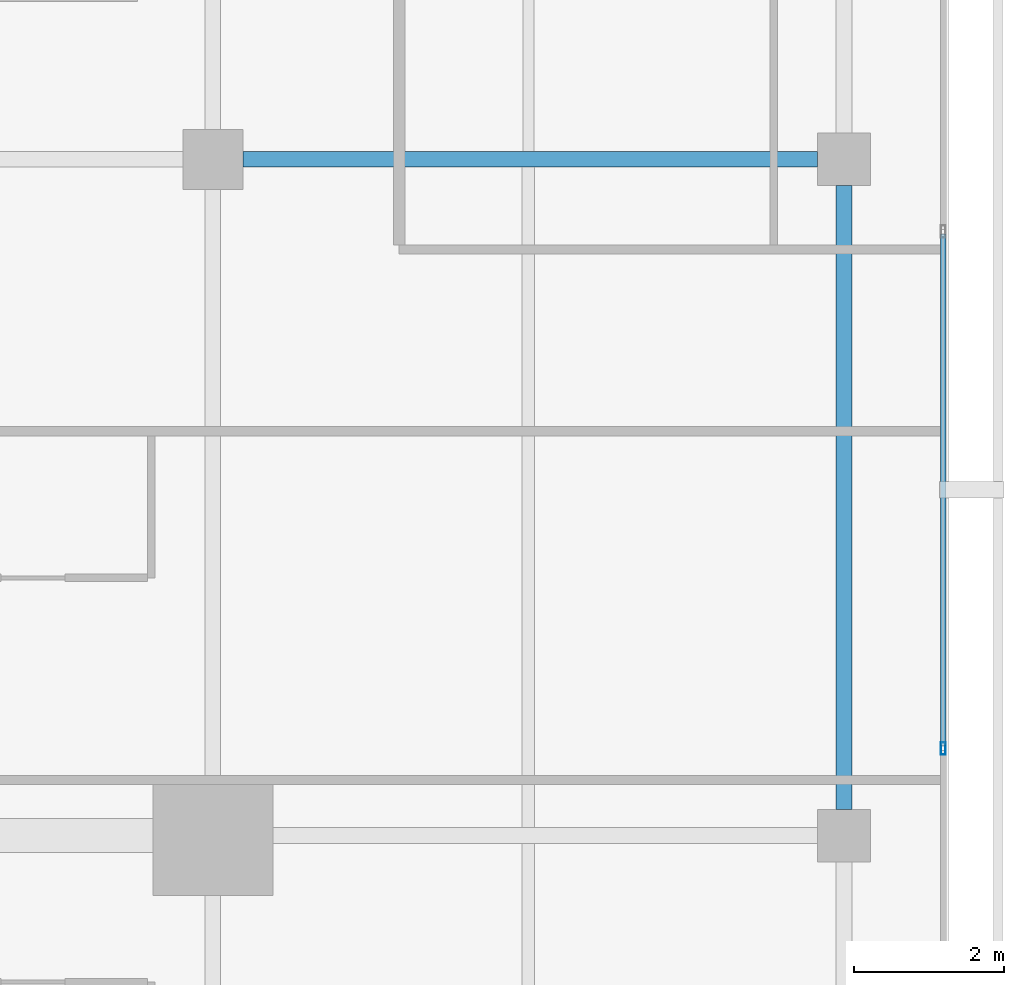
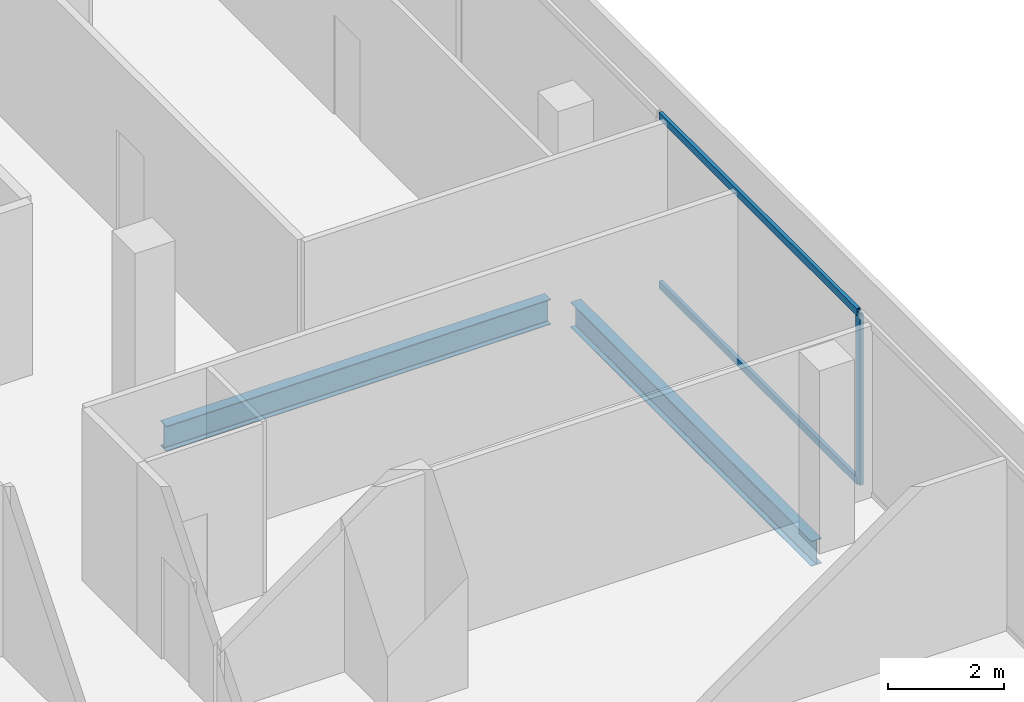
# One storey, part 14 of 25: 3 members, 2 beams, 1 element without a shape of its own.
"""IFC4 building model written with IfcOpenShell, lengths in metres."""

import ifcopenshell
import ifcopenshell.guid

model = None  # the IFC model being written
_history = None  # IfcOwnerHistory: only IFC2X3 demands one
_inside = {}  # id of a spatial element -> (the spatial element, [elements in it])
_under = {}  # id of a project, library or spatial element -> (it, [spatial elements below it])
_declared = {}  # id of a project -> (the project, [libraries it declares])
_typed = {}  # id of a type object -> (the type object, [elements of that type])
_made_of = {}  # id of a material, layer set ... -> (it, [elements and type objects made of it])


def new_model(schema):
    """Start an empty IFC model of exactly this schema.

    Asked for "IFC4X3", IfcOpenShell would pick the latest addendum, in which some entities
    have other attributes; the version numbers below select the first issue.
    IFC2X3 requires an IfcOwnerHistory on every rooted entity: one is made here for all.
    """
    global model, _history
    if schema == "IFC4X3":
        model = ifcopenshell.file(schema_version=(4, 3, 0, 0))
    else:
        model = ifcopenshell.file(schema=schema)
    _inside.clear()
    _under.clear()
    _declared.clear()
    _typed.clear()
    _made_of.clear()
    _history = None
    if model.schema == "IFC2X3":
        org = make("IfcOrganization", Name="unknown")
        user = make(
            "IfcPersonAndOrganization",
            ThePerson=make("IfcPerson", FamilyName="unknown"),
            TheOrganization=org,
        )
        app = make(
            "IfcApplication",
            ApplicationDeveloper=org,
            Version="unknown",
            ApplicationFullName="unknown",
            ApplicationIdentifier="unknown",
        )
        _history = make(
            "IfcOwnerHistory",
            OwningUser=user,
            OwningApplication=app,
            ChangeAction="ADDED",
            CreationDate=0,
        )
    return model


def make(cls, **values):
    """One entity of the class cls with the attributes given. An attribute that is None is left unset."""
    return model.create_entity(
        cls, **{name: value for name, value in values.items() if value is not None}
    )


def rooted(cls, **values):
    """An entity with a GlobalId (a new one), such as an element, a storey or a relation."""
    return make(cls, GlobalId=ifcopenshell.guid.new(), OwnerHistory=_history, **values)


def si_unit(unit_type, name, prefix=None):
    """IfcSIUnit, for example si_unit("LENGTHUNIT", "METRE", prefix="MILLI")."""
    return make("IfcSIUnit", UnitType=unit_type, Prefix=prefix, Name=name)


def assignment(units):
    """IfcUnitAssignment: the units of a project."""
    return None if units is None else make("IfcUnitAssignment", Units=units)


def point(xyz):
    """IfcCartesianPoint."""
    return None if xyz is None else make("IfcCartesianPoint", Coordinates=xyz)


def direction(xyz):
    """IfcDirection."""
    return None if xyz is None else make("IfcDirection", DirectionRatios=xyz)


def frame(location, z_axis=None, x_axis=None):
    """IfcAxis2Placement3D, a coordinate frame: its origin and axes. An axis left out is left unset."""
    return make(
        "IfcAxis2Placement3D",
        Location=point(location),
        Axis=direction(z_axis),
        RefDirection=direction(x_axis),
    )


def frame_2d(location, x_axis=None):
    """IfcAxis2Placement2D, a coordinate frame in the plane: its origin and x axis."""
    return make(
        "IfcAxis2Placement2D", Location=point(location), RefDirection=direction(x_axis)
    )


def origin():
    """The frame at (0, 0, 0) with its axes left unset."""
    return frame((0.0, 0.0, 0.0))


def origin_2d():
    """The frame at (0, 0) in the plane with its x axis left unset."""
    return frame_2d((0.0, 0.0))


def place(relative_to, where):
    """IfcLocalPlacement: puts the frame where relative to a parent placement (None: the world)."""
    return make(
        "IfcLocalPlacement", PlacementRelTo=relative_to, RelativePlacement=where
    )


def context(
    kind, dimensions, precision=None, world=None, true_north=None, identifier=None
):
    """IfcGeometricRepresentationContext, for example the 3D "Model" context."""
    return make(
        "IfcGeometricRepresentationContext",
        ContextIdentifier=identifier,
        ContextType=kind,
        CoordinateSpaceDimension=dimensions,
        Precision=precision,
        WorldCoordinateSystem=world,
        TrueNorth=true_north,
    )


def subcontext(parent, identifier, kind, view, scale=None):
    """IfcGeometricRepresentationSubContext, for example "Body" below "Model"."""
    return make(
        "IfcGeometricRepresentationSubContext",
        ContextIdentifier=identifier,
        ContextType=kind,
        ParentContext=parent,
        TargetScale=scale,
        TargetView=view,
    )


def project(units=None, contexts=None):
    """IfcProject with its units and contexts."""
    return rooted(
        "IfcProject",
        Name="project",
        RepresentationContexts=contexts,
        UnitsInContext=assignment(units),
    )


def spatial(cls, under=None, at=None, **own):
    """A site, building, storey or space (cls), placed at a placement, below another one or the project."""
    s = rooted(cls, ObjectPlacement=at, **own)
    if under is not None:
        _under.setdefault(under.id(), (under, []))[1].append(s)
    return s


def profile(cls, at=None, kind="AREA", **sizes):
    """A parametric profile (cls). Its sizes go by their IFC names, for example OverallWidth=200.0."""
    return make(cls, ProfileType=kind, Position=at, **sizes)


def hollow_rectangle(**sizes):
    """IfcRectangleHollowProfileDef."""
    return profile("IfcRectangleHollowProfileDef", **sizes)


def i_section(**sizes):
    """IfcIShapeProfileDef."""
    return profile("IfcIShapeProfileDef", **sizes)


def extrude(swept, where, along, depth):
    """IfcExtrudedAreaSolid: the profile swept, set in the frame where, extruded along a direction by depth."""
    return make(
        "IfcExtrudedAreaSolid",
        SweptArea=swept,
        Position=where,
        ExtrudedDirection=direction(along),
        Depth=depth,
    )


def shape(context_of_items, identifier, shape_type, items):
    """IfcShapeRepresentation: the items that make up one representation, for example the "Body"."""
    return make(
        "IfcShapeRepresentation",
        ContextOfItems=context_of_items,
        RepresentationIdentifier=identifier,
        RepresentationType=shape_type,
        Items=items,
    )


def material(Name=None, Category=None):
    """IfcMaterial."""
    return make("IfcMaterial", Name=Name, Category=Category)


def layer(
    of_material, thickness, ventilated=None, Name=None, Category=None, Priority=None
):
    """IfcMaterialLayer: one layer of a wall or slab, of a material (None: an air gap)."""
    return make(
        "IfcMaterialLayer",
        Material=of_material,
        LayerThickness=thickness,
        IsVentilated=ventilated,
        Name=Name,
        Category=Category,
        Priority=Priority,
    )


def layer_set(layers, Name=None):
    """IfcMaterialLayerSet."""
    return make("IfcMaterialLayerSet", MaterialLayers=layers, LayerSetName=Name)


def material_profile(
    of_material, cross_section, Name=None, Category=None, Priority=None
):
    """IfcMaterialProfile: a cross section and its material."""
    return make(
        "IfcMaterialProfile",
        Name=Name,
        Material=of_material,
        Profile=cross_section,
        Priority=Priority,
        Category=Category,
    )


def profile_set(profiles, Name=None, composite=None):
    """IfcMaterialProfileSet."""
    return make(
        "IfcMaterialProfileSet",
        Name=Name,
        MaterialProfiles=profiles,
        CompositeProfile=composite,
    )


def made_of(thing, what):
    """Note that an element or type object is made of a material, layer set ...; save() writes the relation."""
    if what is not None:
        _made_of.setdefault(what.id(), (what, []))[1].append(thing)
    return thing


def type_object(cls, material=None, **own):
    """A type object (cls), such as IfcWallType, which elements share."""
    return made_of(rooted(cls, **own), material)


def element(
    cls,
    number,
    at=None,
    inside=None,
    cuts=None,
    type_object=None,
    material=None,
    context=None,
    identifier="Body",
    shape_type=None,
    held_by="IfcProductDefinitionShape",
    body=None,
    shapes=None,
    **own,
):
    """One element of the class cls, such as IfcWall. Its Tag is "e" and its number.

    at: its placement. inside: the storey or other place that contains it. cuts: it is an
    opening in that element (IfcRelVoidsElement). A single representation is given by context,
    identifier, shape_type and body (its items); several are given by shapes. held_by: the class
    of the entity that holds the representations. save() writes the other relations.
    """
    e = rooted(cls, Tag="e%d" % number, ObjectPlacement=at, **own)
    if body is not None:
        shapes = [shape(context, identifier, shape_type, body)]
    if shapes is not None:
        e.Representation = make(held_by, Representations=shapes)
    if inside is not None:
        _inside.setdefault(inside.id(), (inside, []))[1].append(e)
    if cuts is not None:
        rooted(
            "IfcRelVoidsElement", RelatingBuildingElement=cuts, RelatedOpeningElement=e
        )
    if type_object is not None:
        _typed.setdefault(type_object.id(), (type_object, []))[1].append(e)
    return made_of(e, material)


def aggregate(whole, parts):
    """IfcRelAggregates: a whole, such as a stair, and the parts it consists of."""
    return rooted("IfcRelAggregates", RelatingObject=whole, RelatedObjects=parts)


def save(model, path):
    """Write the relations noted so far, then the file.

    IfcRelAggregates (storeys below a building ...), IfcRelContainedInSpatialStructure (elements
    in a storey), IfcRelDefinesByType, IfcRelAssociatesMaterial and IfcRelDeclares: one each for
    every whole, place, type object, material and project.
    """
    for whole, parts in _under.values():
        aggregate(whole, parts)
    for where, things in _inside.values():
        rooted(
            "IfcRelContainedInSpatialStructure",
            RelatedElements=things,
            RelatingStructure=where,
        )
    for kind, things in _typed.values():
        rooted("IfcRelDefinesByType", RelatedObjects=things, RelatingType=kind)
    for what, things in _made_of.values():
        rooted("IfcRelAssociatesMaterial", RelatedObjects=things, RelatingMaterial=what)
    for by, libraries in _declared.values():
        rooted("IfcRelDeclares", RelatingContext=by, RelatedDefinitions=libraries)
    model.write(path)


model = new_model("IFC4")

# Units and contexts
model_context = context("Model", 3, precision=1e-05, world=origin(), true_north=direction((0.0, 1.0)))
body_context = subcontext(model_context, "Body", "Model", "MODEL_VIEW")
ifc_project = project(units=[si_unit("LENGTHUNIT", "METRE"), si_unit("AREAUNIT", "SQUARE_METRE"), si_unit("VOLUMEUNIT", "CUBIC_METRE"), si_unit("PLANEANGLEUNIT", "RADIAN"), si_unit("MASSUNIT", "GRAM", prefix="KILO")], contexts=[model_context])

# Site, building, storey
site_placement = place(None, origin())
site = spatial("IfcSite", under=ifc_project, at=site_placement, CompositionType="ELEMENT")
building_placement = place(site_placement, origin())
building = spatial("IfcBuilding", under=site, at=building_placement, Name="Maruvema Waterfront Hotel and Observation Tower", CompositionType="ELEMENT")
storey_placement = place(building_placement, frame((0.0, 0.0, 274.050048828125)))
storey = spatial("IfcBuildingStorey", under=building, at=storey_placement, Name="L67", CompositionType="ELEMENT", Elevation=274.050048828125)

# Curtain wall, members
ifc_material_1 = material(Name="Anodised bronze aluminium and solar-control low-E IGU", Category="aluminium")
ifc_layer = layer(ifc_material_1, 0.159912109375, Name="Zone 3 Champagne Inner Thermal Curtain Wall System CW-04")
ifc_layer_set = layer_set([ifc_layer], Name="Anodised bronze aluminium and solar-control low-E IGU")
curtain_wall_type = type_object("IfcCurtainWallType", Name="Zone 3 Champagne Inner Thermal Curtain Wall System CW-04", PredefinedType="USERDEFINED", material=ifc_layer_set)
curtain_wall_placement = place(storey_placement, origin())
curtain_wall = element("IfcCurtainWall", 1, at=curtain_wall_placement, inside=storey, type_object=curtain_wall_type, Name="L67 Curtain Wall CW-L67-E", ObjectType="UNITISED CURTAIN WALL", PredefinedType="USERDEFINED")
ifc_material_2 = material(Name="Anodised architectural bronze aluminium", Category="aluminium")
ifc_material_profile_1 = material_profile(ifc_material_2, hollow_rectangle(XDim=0.070068359375, YDim=0.14990234375, WallThickness=0.00390625, at=origin_2d()), Name="ALU-T70x150")
ifc_profile_set_1 = profile_set([ifc_material_profile_1], Name="Anodised architectural bronze aluminium")
member_type_1 = type_object("IfcMemberType", Name="Curtain Wall Horizontal Transom ALU-T70x150", PredefinedType="USERDEFINED", material=ifc_profile_set_1)
member_1_placement = place(storey_placement, frame((60.1201171875, 28.18994140625, 0.030029296875), z_axis=(0.0, 1.0, 0.0), x_axis=(-1.0, 0.0, 0.0)))
member_1 = element("IfcMember", 2, at=member_1_placement, type_object=member_type_1, Name="CW-04 transom 3.1", ObjectType="TRANSOM", PredefinedType="USERDEFINED", context=body_context, shape_type="SweptSolid", body=[
    extrude(hollow_rectangle(XDim=0.070068359375, YDim=0.14990234375, WallThickness=0.00390625, at=origin_2d()), origin(), (0.0, 0.0, 1.0), 6.820068359375),
])
member_2_placement = place(storey_placement, frame((60.1201171875, 28.18994140625, 3.579833984375), z_axis=(0.0, 1.0, 0.0), x_axis=(-1.0, 0.0, 0.0)))
member_2 = element("IfcMember", 3, at=member_2_placement, type_object=member_type_1, Name="CW-04 transom 3.2", ObjectType="TRANSOM", PredefinedType="USERDEFINED", context=body_context, shape_type="SweptSolid", body=[
    extrude(hollow_rectangle(XDim=0.070068359375, YDim=0.14990234375, WallThickness=0.00390625, at=origin_2d()), origin(), (0.0, 0.0, 1.0), 6.820068359375),
])
ifc_material_3 = material(Name="Anodised architectural bronze aluminium", Category="aluminium")
ifc_material_profile_2 = material_profile(ifc_material_3, hollow_rectangle(XDim=0.06494140625, YDim=0.1650390625, WallThickness=0.00390625, at=origin_2d()), Name="ALU-M65x165")
ifc_profile_set_2 = profile_set([ifc_material_profile_2], Name="Anodised architectural bronze aluminium")
member_type_2 = type_object("IfcMemberType", Name="Curtain Wall Primary Mullion ALU-M65x165", PredefinedType="MULLION", material=ifc_profile_set_2)
member_3_placement = place(storey_placement, frame((60.1201171875, 28.159912109375, 0.0), z_axis=(0.0, 0.0, 1.0), x_axis=(-1.0, 0.0, 0.0)))
member_3 = element("IfcMember", 4, at=member_3_placement, type_object=member_type_2, Name="CW-04 mullion 3", PredefinedType="MULLION", context=body_context, shape_type="SweptSolid", body=[
    extrude(hollow_rectangle(XDim=0.06494140625, YDim=0.1650390625, WallThickness=0.00390625, at=origin_2d()), origin(), (0.0, 0.0, 1.0), 3.60986328125),
])
aggregate(curtain_wall, [member_3, member_1, member_2])

# Beams
ifc_material_4 = material(Name="Steel ASTM A572 Grade 50", Category="steel")
ifc_material_profile_3 = material_profile(ifc_material_4, i_section(OverallWidth=0.208984375, OverallDepth=0.532958984375, WebThickness=0.01025390625, FlangeThickness=0.015625, FilletRadius=0.014892578125, at=origin_2d()), Name="W530x92.0")
ifc_profile_set_3 = profile_set([ifc_material_profile_3], Name="Steel ASTM A572 Grade 50")
beam_type = type_object("IfcBeamType", Name="Primary Floor Girder W530x92.0", PredefinedType="BEAM", material=ifc_profile_set_3)
beam_1_placement = place(storey_placement, frame((50.800048828125, 36.0, -0.506591796875), z_axis=(1.0, 0.0, 0.0), x_axis=(0.0, 1.0, 0.0)))
element("IfcBeam", 5, at=beam_1_placement, inside=storey, type_object=beam_type, Name="L67 Floor Girder EW-16", PredefinedType="BEAM", context=body_context, shape_type="SweptSolid", body=[
    extrude(i_section(OverallWidth=0.208984375, OverallDepth=0.532958984375, WebThickness=0.01025390625, FlangeThickness=0.015625, FilletRadius=0.014892578125, at=origin_2d()), origin(), (0.0, 0.0, 1.0), 7.64990234375),
])
beam_2_placement = place(storey_placement, frame((58.800048828125, 27.35009765625, -0.506591796875), z_axis=(0.0, 1.0, 0.0), x_axis=(-1.0, 0.0, 0.0)))
element("IfcBeam", 6, at=beam_2_placement, inside=storey, type_object=beam_type, Name="L67 Floor Girder NS-17", PredefinedType="BEAM", context=body_context, shape_type="SweptSolid", body=[
    extrude(i_section(OverallWidth=0.208984375, OverallDepth=0.532958984375, WebThickness=0.01025390625, FlangeThickness=0.015625, FilletRadius=0.014892578125, at=origin_2d()), origin(), (0.0, 0.0, 1.0), 8.2998046875),
])

save(model, "model.ifc")
